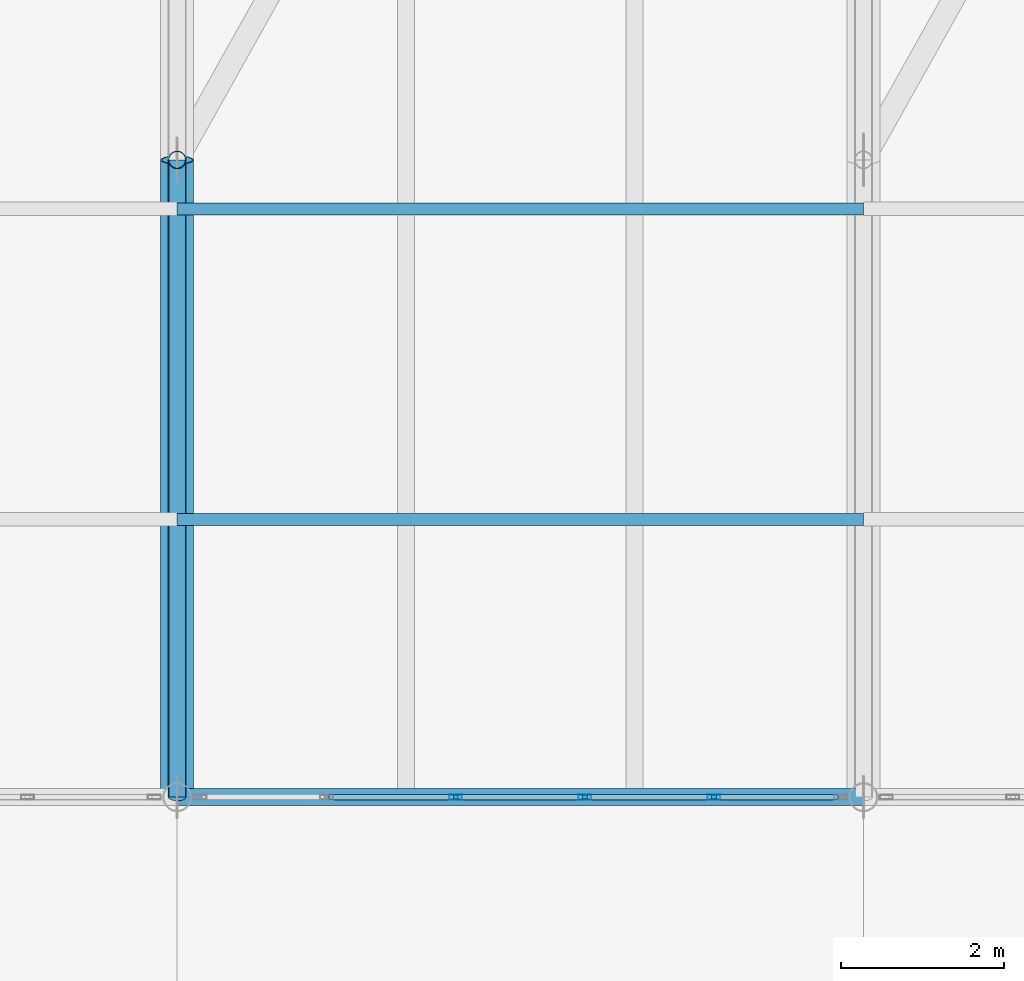
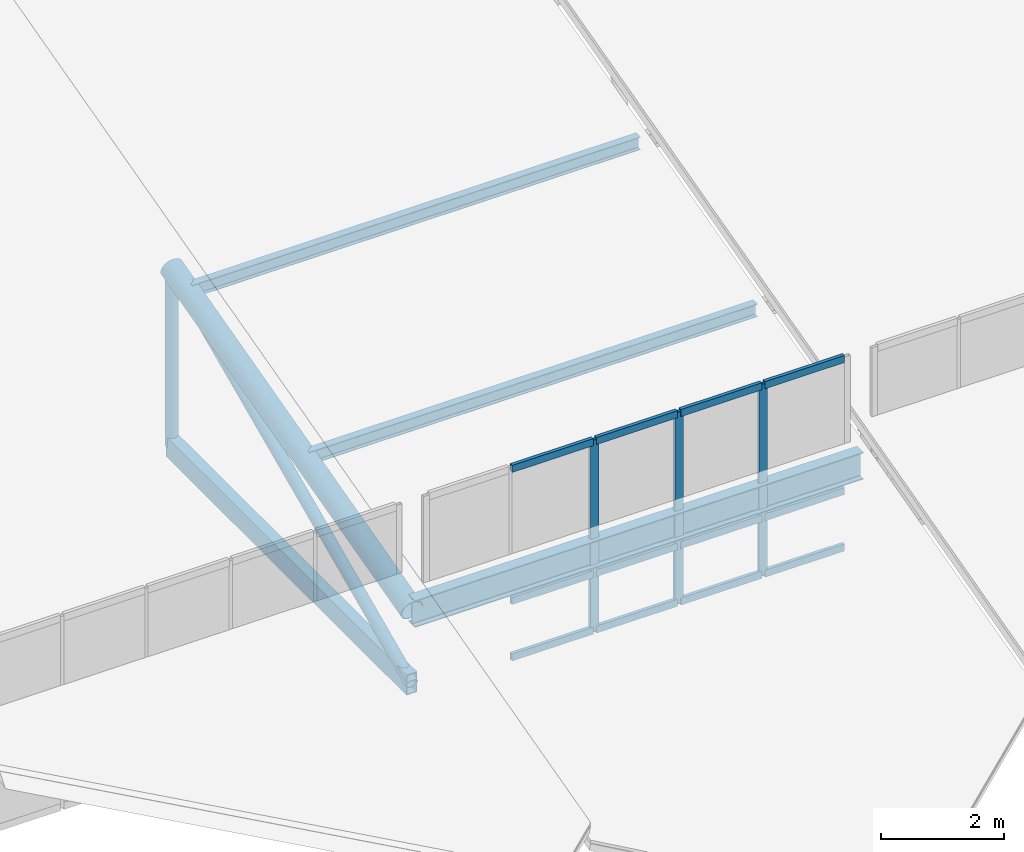
# One storey, part 4 of 43: 21 members, 1 beam, 1 element without a shape of its own.
"""IFC4 building model written with IfcOpenShell, lengths in metres."""

from ifc_helpers import new_model, si_unit, direction, frame, origin, origin_2d, place, context, subcontext, project, spatial, hollow_rectangle, hollow_circle, i_section, extrude, material, layer, layer_set, material_profile, profile_set, type_object, element, aggregate, save


model = new_model("IFC4")

# Units and contexts
model_context = context("Model", 3, precision=1e-05, world=origin(), true_north=direction((0.0, 1.0)))
body_context = subcontext(model_context, "Body", "Model", "MODEL_VIEW")
ifc_project = project(units=[si_unit("LENGTHUNIT", "METRE"), si_unit("AREAUNIT", "SQUARE_METRE"), si_unit("VOLUMEUNIT", "CUBIC_METRE"), si_unit("PLANEANGLEUNIT", "RADIAN"), si_unit("MASSUNIT", "GRAM", prefix="KILO")], contexts=[model_context])

# Site, building, storey
site_placement = place(None, origin())
site = spatial("IfcSite", under=ifc_project, at=site_placement, CompositionType="ELEMENT")
building_placement = place(site_placement, origin())
building = spatial("IfcBuilding", under=site, at=building_placement, Name="Selat Folded Stagehouse", CompositionType="ELEMENT")
storey_placement = place(building_placement, frame((0.0, 0.0, 32.39990234375)))
storey = spatial("IfcBuildingStorey", under=building, at=storey_placement, Name="RF", CompositionType="ELEMENT", Elevation=32.39990234375)

# Beam
ifc_material_1 = material(Name="Steel S355", Category="steel")
ifc_material_profile_1 = material_profile(ifc_material_1, i_section(OverallWidth=0.209228515625, OverallDepth=0.533203125, WebThickness=0.010009765625, FlangeThickness=0.015625, FilletRadius=0.0126953125, at=origin_2d()), Name="UKB 533x210x92")
ifc_profile_set_1 = profile_set([ifc_material_profile_1], Name="Steel S355")
beam_type = type_object("IfcBeamType", Name="BM-GIRD-533x210x92", PredefinedType="BEAM", material=ifc_profile_set_1)
beam_placement = place(storey_placement, frame((16.800048828125, 23.39990234375, 1.586181640625), z_axis=(1.0, 0.0, 0.0), x_axis=(0.0, 1.0, 0.0)))
element("IfcBeam", 1, at=beam_placement, inside=storey, type_object=beam_type, Name="RF bay 2 S roof bearer beam", PredefinedType="BEAM", context=body_context, shape_type="SweptSolid", body=[
    extrude(i_section(OverallWidth=0.209228515625, OverallDepth=0.533203125, WebThickness=0.010009765625, FlangeThickness=0.015625, FilletRadius=0.0126953125, at=origin_2d()), origin(), (0.0, 0.0, 1.0), 8.39990234375),
])

# Curtain wall, members
ifc_material_2 = material(Name="Aluminium 6063-T6", Category="aluminium")
ifc_layer = layer(ifc_material_2, 0.169921875)
ifc_layer_set = layer_set([ifc_layer], Name="Aluminium 6063-T6")
curtain_wall_type = type_object("IfcCurtainWallType", Name="CW-CRN-CLER", PredefinedType="NOTDEFINED", material=ifc_layer_set)
curtain_wall_placement = place(storey_placement, origin())
curtain_wall = element("IfcCurtainWall", 2, at=curtain_wall_placement, inside=storey, type_object=curtain_wall_type, Name="RF curtain wall CW-RF-S-01", PredefinedType="NOTDEFINED")
ifc_material_profile_2 = material_profile(ifc_material_2, hollow_rectangle(XDim=0.06005859375, YDim=0.159912109375, WallThickness=0.00390625, at=origin_2d()), Name="ALU 160x60x4.0")
ifc_profile_set_2 = profile_set([ifc_material_profile_2], Name="Aluminium 6063-T6")
member_type_1 = type_object("IfcMemberType", Name="CWM-MUL-160x60", PredefinedType="MULLION", material=ifc_profile_set_2)
member_1_placement = place(storey_placement, frame((23.3701171875, 23.39990234375, 0.0), z_axis=(0.0, 0.0, 1.0), x_axis=(0.0, -1.0, 0.0)))
member_1 = element("IfcMember", 3, at=member_1_placement, type_object=member_type_1, Name="CW-09 mullion 2", PredefinedType="MULLION", context=body_context, shape_type="SweptSolid", body=[
    extrude(hollow_rectangle(XDim=0.06005859375, YDim=0.159912109375, WallThickness=0.00390625, at=origin_2d()), origin(), (0.0, 0.0, 1.0), 3.800048828125),
])
member_2_placement = place(storey_placement, frame((21.7900390625, 23.39990234375, 0.0), z_axis=(0.0, 0.0, 1.0), x_axis=(0.0, -1.0, 0.0)))
member_2 = element("IfcMember", 4, at=member_2_placement, type_object=member_type_1, Name="CW-09 mullion 3", PredefinedType="MULLION", context=body_context, shape_type="SweptSolid", body=[
    extrude(hollow_rectangle(XDim=0.06005859375, YDim=0.159912109375, WallThickness=0.00390625, at=origin_2d()), origin(), (0.0, 0.0, 1.0), 3.800048828125),
])
member_3_placement = place(storey_placement, frame((20.2099609375, 23.39990234375, 0.0), z_axis=(0.0, 0.0, 1.0), x_axis=(0.0, -1.0, 0.0)))
member_3 = element("IfcMember", 5, at=member_3_placement, type_object=member_type_1, Name="CW-09 mullion 4", PredefinedType="MULLION", context=body_context, shape_type="SweptSolid", body=[
    extrude(hollow_rectangle(XDim=0.06005859375, YDim=0.159912109375, WallThickness=0.00390625, at=origin_2d()), origin(), (0.0, 0.0, 1.0), 3.800048828125),
])
ifc_material_profile_3 = material_profile(ifc_material_2, hollow_rectangle(XDim=0.06494140625, YDim=0.139892578125, WallThickness=0.00390625, at=origin_2d()), Name="ALU 140x65x4.0")
ifc_profile_set_3 = profile_set([ifc_material_profile_3], Name="Aluminium 6063-T6")
member_type_2 = type_object("IfcMemberType", Name="CWM-TRN-140x65", PredefinedType="USERDEFINED", material=ifc_profile_set_3)
member_4_placement = place(storey_placement, frame((24.889892578125, 23.39990234375, 0.03271484375), z_axis=(-1.0, 0.0, 0.0), x_axis=(0.0, -1.0, 0.0)))
member_4 = element("IfcMember", 6, at=member_4_placement, type_object=member_type_2, Name="CW-09 transom 1.1", ObjectType="TRANSOM", PredefinedType="USERDEFINED", context=body_context, shape_type="SweptSolid", body=[
    extrude(hollow_rectangle(XDim=0.06494140625, YDim=0.139892578125, WallThickness=0.00390625, at=origin_2d()), origin(), (0.0, 0.0, 1.0), 1.489990234375),
])
member_5_placement = place(storey_placement, frame((24.889892578125, 23.39990234375, 1.150146484375), z_axis=(-1.0, 0.0, 0.0), x_axis=(0.0, -1.0, 0.0)))
member_5 = element("IfcMember", 7, at=member_5_placement, type_object=member_type_2, Name="CW-09 transom 1.2", ObjectType="TRANSOM", PredefinedType="USERDEFINED", context=body_context, shape_type="SweptSolid", body=[
    extrude(hollow_rectangle(XDim=0.06494140625, YDim=0.139892578125, WallThickness=0.00390625, at=origin_2d()), origin(), (0.0, 0.0, 1.0), 1.489990234375),
])
member_6_placement = place(storey_placement, frame((24.889892578125, 23.39990234375, 3.767578125), z_axis=(-1.0, 0.0, 0.0), x_axis=(0.0, -1.0, 0.0)))
member_6 = element("IfcMember", 8, at=member_6_placement, type_object=member_type_2, Name="CW-09 transom 1.3", ObjectType="TRANSOM", PredefinedType="USERDEFINED", context=body_context, shape_type="SweptSolid", body=[
    extrude(hollow_rectangle(XDim=0.06494140625, YDim=0.139892578125, WallThickness=0.00390625, at=origin_2d()), origin(), (0.0, 0.0, 1.0), 1.489990234375),
])
member_7_placement = place(storey_placement, frame((23.340087890625, 23.39990234375, 0.03271484375), z_axis=(-1.0, 0.0, 0.0), x_axis=(0.0, -1.0, 0.0)))
member_7 = element("IfcMember", 9, at=member_7_placement, type_object=member_type_2, Name="CW-09 transom 2.1", ObjectType="TRANSOM", PredefinedType="USERDEFINED", context=body_context, shape_type="SweptSolid", body=[
    extrude(hollow_rectangle(XDim=0.06494140625, YDim=0.139892578125, WallThickness=0.00390625, at=origin_2d()), origin(), (0.0, 0.0, 1.0), 1.52001953125),
])
member_8_placement = place(storey_placement, frame((23.340087890625, 23.39990234375, 1.150146484375), z_axis=(-1.0, 0.0, 0.0), x_axis=(0.0, -1.0, 0.0)))
member_8 = element("IfcMember", 10, at=member_8_placement, type_object=member_type_2, Name="CW-09 transom 2.2", ObjectType="TRANSOM", PredefinedType="USERDEFINED", context=body_context, shape_type="SweptSolid", body=[
    extrude(hollow_rectangle(XDim=0.06494140625, YDim=0.139892578125, WallThickness=0.00390625, at=origin_2d()), origin(), (0.0, 0.0, 1.0), 1.52001953125),
])
member_9_placement = place(storey_placement, frame((23.340087890625, 23.39990234375, 3.767578125), z_axis=(-1.0, 0.0, 0.0), x_axis=(0.0, -1.0, 0.0)))
member_9 = element("IfcMember", 11, at=member_9_placement, type_object=member_type_2, Name="CW-09 transom 2.3", ObjectType="TRANSOM", PredefinedType="USERDEFINED", context=body_context, shape_type="SweptSolid", body=[
    extrude(hollow_rectangle(XDim=0.06494140625, YDim=0.139892578125, WallThickness=0.00390625, at=origin_2d()), origin(), (0.0, 0.0, 1.0), 1.52001953125),
])
member_10_placement = place(storey_placement, frame((21.760009765625, 23.39990234375, 0.03271484375), z_axis=(-1.0, 0.0, 0.0), x_axis=(0.0, -1.0, 0.0)))
member_10 = element("IfcMember", 12, at=member_10_placement, type_object=member_type_2, Name="CW-09 transom 3.1", ObjectType="TRANSOM", PredefinedType="USERDEFINED", context=body_context, shape_type="SweptSolid", body=[
    extrude(hollow_rectangle(XDim=0.06494140625, YDim=0.139892578125, WallThickness=0.00390625, at=origin_2d()), origin(), (0.0, 0.0, 1.0), 1.52001953125),
])
member_11_placement = place(storey_placement, frame((21.760009765625, 23.39990234375, 1.150146484375), z_axis=(-1.0, 0.0, 0.0), x_axis=(0.0, -1.0, 0.0)))
member_11 = element("IfcMember", 13, at=member_11_placement, type_object=member_type_2, Name="CW-09 transom 3.2", ObjectType="TRANSOM", PredefinedType="USERDEFINED", context=body_context, shape_type="SweptSolid", body=[
    extrude(hollow_rectangle(XDim=0.06494140625, YDim=0.139892578125, WallThickness=0.00390625, at=origin_2d()), origin(), (0.0, 0.0, 1.0), 1.52001953125),
])
member_12_placement = place(storey_placement, frame((21.760009765625, 23.39990234375, 3.767578125), z_axis=(-1.0, 0.0, 0.0), x_axis=(0.0, -1.0, 0.0)))
member_12 = element("IfcMember", 14, at=member_12_placement, type_object=member_type_2, Name="CW-09 transom 3.3", ObjectType="TRANSOM", PredefinedType="USERDEFINED", context=body_context, shape_type="SweptSolid", body=[
    extrude(hollow_rectangle(XDim=0.06494140625, YDim=0.139892578125, WallThickness=0.00390625, at=origin_2d()), origin(), (0.0, 0.0, 1.0), 1.52001953125),
])
member_13_placement = place(storey_placement, frame((20.179931640625, 23.39990234375, 0.03271484375), z_axis=(-1.0, 0.0, 0.0), x_axis=(0.0, -1.0, 0.0)))
member_13 = element("IfcMember", 15, at=member_13_placement, type_object=member_type_2, Name="CW-09 transom 4.1", ObjectType="TRANSOM", PredefinedType="USERDEFINED", context=body_context, shape_type="SweptSolid", body=[
    extrude(hollow_rectangle(XDim=0.06494140625, YDim=0.139892578125, WallThickness=0.00390625, at=origin_2d()), origin(), (0.0, 0.0, 1.0), 1.52001953125),
])
member_14_placement = place(storey_placement, frame((20.179931640625, 23.39990234375, 1.150146484375), z_axis=(-1.0, 0.0, 0.0), x_axis=(0.0, -1.0, 0.0)))
member_14 = element("IfcMember", 16, at=member_14_placement, type_object=member_type_2, Name="CW-09 transom 4.2", ObjectType="TRANSOM", PredefinedType="USERDEFINED", context=body_context, shape_type="SweptSolid", body=[
    extrude(hollow_rectangle(XDim=0.06494140625, YDim=0.139892578125, WallThickness=0.00390625, at=origin_2d()), origin(), (0.0, 0.0, 1.0), 1.52001953125),
])
member_15_placement = place(storey_placement, frame((20.179931640625, 23.39990234375, 3.767578125), z_axis=(-1.0, 0.0, 0.0), x_axis=(0.0, -1.0, 0.0)))
member_15 = element("IfcMember", 17, at=member_15_placement, type_object=member_type_2, Name="CW-09 transom 4.3", ObjectType="TRANSOM", PredefinedType="USERDEFINED", context=body_context, shape_type="SweptSolid", body=[
    extrude(hollow_rectangle(XDim=0.06494140625, YDim=0.139892578125, WallThickness=0.00390625, at=origin_2d()), origin(), (0.0, 0.0, 1.0), 1.52001953125),
])
aggregate(curtain_wall, [member_1, member_2, member_3, member_4, member_5, member_6, member_7, member_8, member_9, member_10, member_11, member_12, member_13, member_14, member_15])

# Members
ifc_material_profile_4 = material_profile(ifc_material_1, hollow_circle(Radius=0.109619140625, WallThickness=0.010009765625, at=origin_2d()), Name="CHS 219.1x10.0")
ifc_profile_set_4 = profile_set([ifc_material_profile_4], Name="Steel S355")
member_type_3 = type_object("IfcMemberType", Name="MEM-BRACE-CHS219", PredefinedType="BRACE", material=ifc_profile_set_4)
member_16_placement = place(storey_placement, frame((16.800048828125, 23.39990234375, 0.150146484375), z_axis=(0.0, 0.91168696029, 0.410885490664), x_axis=(-1.0, 0.0, 0.0)))
element("IfcMember", 18, at=member_16_placement, inside=storey, type_object=member_type_3, Name="Folded-plate web diagonal 2.1", PredefinedType="BRACE", context=body_context, shape_type="SweptSolid", body=[
    extrude(hollow_circle(Radius=0.109619140625, WallThickness=0.010009765625, at=origin_2d()), origin(), (0.0, 0.0, 1.0), 8.5556640625),
])
ifc_material_profile_5 = material_profile(ifc_material_1, hollow_circle(Radius=0.203125, WallThickness=0.01611328125, at=origin_2d()), Name="CHS 406.4x16.0")
ifc_profile_set_5 = profile_set([ifc_material_profile_5], Name="Steel S355")
member_type_4 = type_object("IfcMemberType", Name="MEM-CHORD-CHS406", PredefinedType="CHORD", material=ifc_profile_set_5)
member_17_placement = place(storey_placement, frame((16.800048828125, 23.39990234375, 1.605224609375), z_axis=(0.0, 0.966840500881, 0.255380981781), x_axis=(-1.0, 0.0, 0.0)))
element("IfcMember", 19, at=member_17_placement, inside=storey, type_object=member_type_4, Name="Folded-plate top chord 2.1", PredefinedType="CHORD", context=body_context, shape_type="SweptSolid", body=[
    extrude(hollow_circle(Radius=0.203125, WallThickness=0.01611328125, at=origin_2d()), origin(), (0.0, 0.0, 1.0), 8.067626953125),
])
ifc_material_profile_6 = material_profile(ifc_material_1, hollow_rectangle(XDim=0.199951171875, YDim=0.39990234375, WallThickness=0.012451171875, at=origin_2d()), Name="RHS 400x200x12.5")
ifc_profile_set_6 = profile_set([ifc_material_profile_6], Name="Steel S355")
member_type_5 = type_object("IfcMemberType", Name="MEM-CHORD-RHS400", PredefinedType="CHORD", material=ifc_profile_set_6)
member_18_placement = place(storey_placement, frame((16.800048828125, 23.39990234375, 0.150146484375), z_axis=(0.0, 1.0, 0.0), x_axis=(-1.0, 0.0, 0.0)))
element("IfcMember", 20, at=member_18_placement, inside=storey, type_object=member_type_5, Name="Folded-plate bottom tie 2.1", PredefinedType="CHORD", context=body_context, shape_type="SweptSolid", body=[
    extrude(hollow_rectangle(XDim=0.199951171875, YDim=0.39990234375, WallThickness=0.012451171875, at=origin_2d()), origin(), (0.0, 0.0, 1.0), 7.800048828125),
])
ifc_material_profile_7 = material_profile(ifc_material_1, hollow_circle(Radius=0.109619140625, WallThickness=0.010009765625, at=origin_2d()), Name="CHS 219.1x10.0")
ifc_profile_set_7 = profile_set([ifc_material_profile_7], Name="Steel S355")
member_type_6 = type_object("IfcMemberType", Name="MEM-POST-CHS219", PredefinedType="POST", material=ifc_profile_set_7)
member_19_placement = place(storey_placement, frame((16.800048828125, 31.199951171875, 0.150146484375), z_axis=(0.0, 0.0, 1.0), x_axis=(1.0, 0.0, 0.0)))
element("IfcMember", 21, at=member_19_placement, inside=storey, type_object=member_type_6, Name="Folded-plate truss post 2.1", PredefinedType="POST", context=body_context, shape_type="SweptSolid", body=[
    extrude(hollow_circle(Radius=0.109619140625, WallThickness=0.010009765625, at=origin_2d()), origin(), (0.0, 0.0, 1.0), 3.515380859375),
])
ifc_material_profile_8 = material_profile(ifc_material_1, i_section(OverallWidth=0.14599609375, OverallDepth=0.25146484375, WebThickness=0.006103515625, FlangeThickness=0.008544921875, FilletRadius=0.007568359375, at=origin_2d()), Name="UKB 254x146x31")
ifc_profile_set_8 = profile_set([ifc_material_profile_8], Name="Steel S355")
member_type_7 = type_object("IfcMemberType", Name="MEM-PURLIN-UKB254", PredefinedType="PURLIN", material=ifc_profile_set_8)
for number, where, z_axis, x_axis, name in (
    (22, (16.800048828125, 26.800048828125, 2.58349609375), (1.0, 0.0, 0.0), (0.0, 1.0, 0.0), "Folded-plate roof purlin bay 2.1"),
    (23, (16.800048828125, 30.60009765625, 3.58740234375), (1.0, 0.0, 0.0), (0.0, 1.0, 0.0), "Folded-plate roof purlin bay 2.2"),
):
    element("IfcMember", number, at=place(storey_placement, frame(where, z_axis=z_axis, x_axis=x_axis)), inside=storey, type_object=member_type_7, Name=name, PredefinedType="PURLIN", context=body_context, shape_type="SweptSolid", body=[
        extrude(i_section(OverallWidth=0.14599609375, OverallDepth=0.25146484375, WebThickness=0.006103515625, FlangeThickness=0.008544921875, FilletRadius=0.007568359375, at=origin_2d()), origin(), (0.0, 0.0, 1.0), 8.39990234375),
    ])

save(model, "model.ifc")
